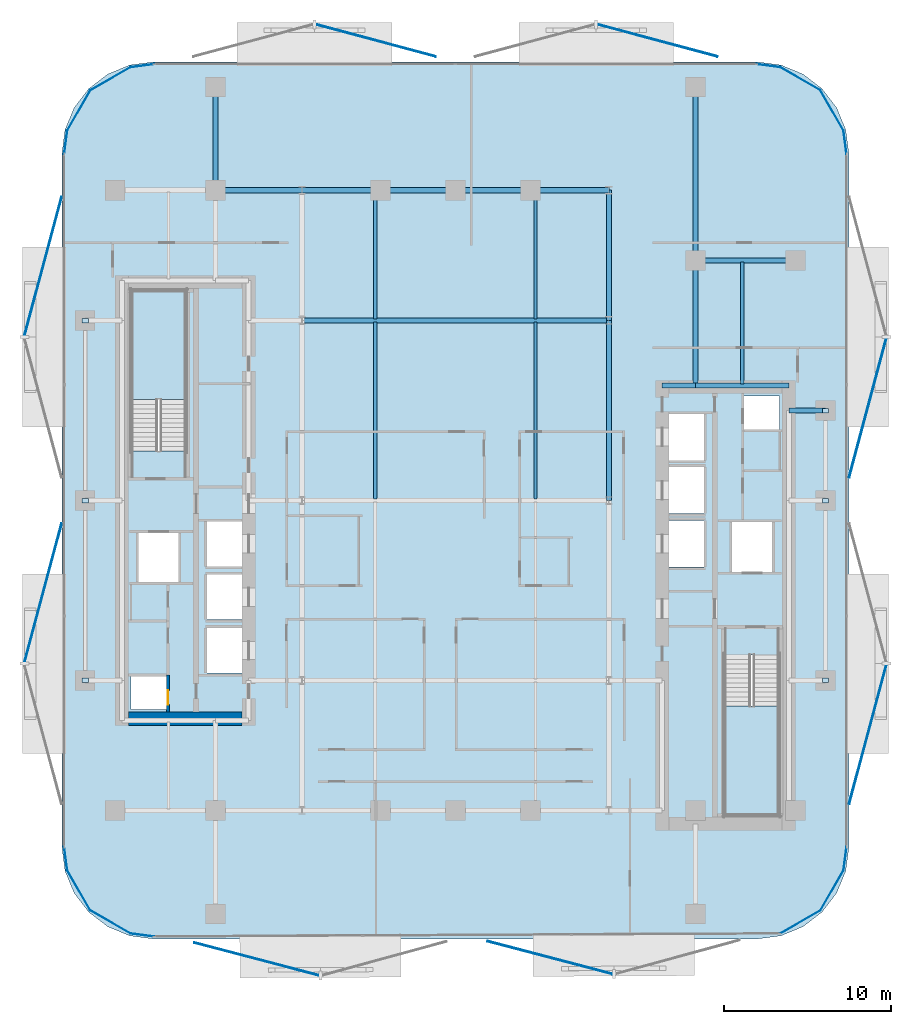
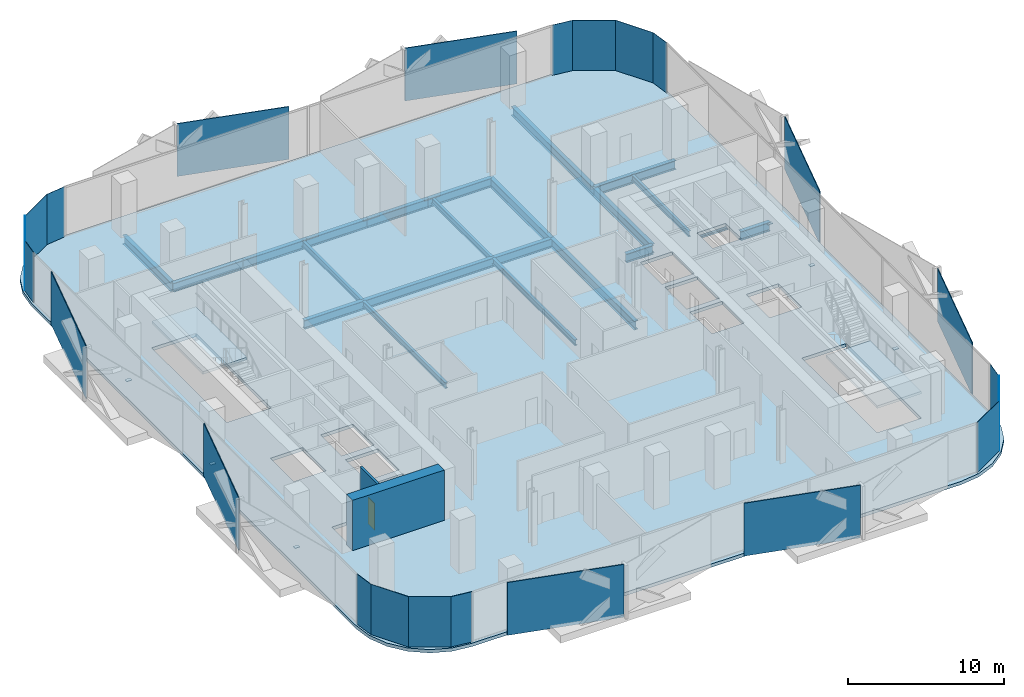
# One storey, part 2 of 15: 29 plates, 20 beams, 3 slabs, 2 walls, 1 door, 1 opening, 2 elements without a shape of their own.
"""IFC4 building model written with IfcOpenShell, lengths in metres."""

from ifc_helpers import new_model, si_unit, direction, frame, frame_2d, origin, origin_2d, place, context, subcontext, project, spatial, polyline, rectangle, i_section, outline, extrude, material, layer, layer_set, material_profile, profile_set, type_object, element, fill, aggregate, save


model = new_model("IFC4")

# Units and contexts
model_context = context("Model", 3, precision=1e-05, world=origin(), true_north=direction((0.0, 1.0)))
body_context = subcontext(model_context, "Body", "Model", "MODEL_VIEW")
ifc_project = project(units=[si_unit("LENGTHUNIT", "METRE"), si_unit("AREAUNIT", "SQUARE_METRE"), si_unit("VOLUMEUNIT", "CUBIC_METRE"), si_unit("PLANEANGLEUNIT", "RADIAN"), si_unit("MASSUNIT", "GRAM", prefix="KILO")], contexts=[model_context])

# Site, building, storey
site_placement = place(None, origin())
site = spatial("IfcSite", under=ifc_project, at=site_placement, CompositionType="ELEMENT")
building_placement = place(site_placement, origin())
building = spatial("IfcBuilding", under=site, at=building_placement, Name="Khairoan Windgate Tower", CompositionType="ELEMENT")
storey_placement = place(building_placement, frame((0.0, 0.0, 110.0)))
storey = spatial("IfcBuildingStorey", under=building, at=storey_placement, Name="L25", CompositionType="ELEMENT", Elevation=110.0)

# Beams
ifc_material_1 = material(Name="Steel S355", Category="steel")
ifc_material_profile_1 = material_profile(ifc_material_1, i_section(OverallWidth=0.300048828125, OverallDepth=0.699951171875, WebThickness=0.012939453125, FlangeThickness=0.02392578125, FilletRadius=0.02587890625, at=origin_2d()))
ifc_profile_set_1 = profile_set([ifc_material_profile_1], Name="Steel S355")
beam_type_1 = type_object("IfcBeamType", Name="Beam B-G3 H700x300x13x24", PredefinedType="BEAM", material=ifc_profile_set_1)
beam_1_placement = place(storey_placement, frame((20.0, 5.39990234375, -0.610107421875), z_axis=(1.0, 0.0, 0.0), x_axis=(0.0, 1.0, 0.0)))
element("IfcBeam", 1, at=beam_1_placement, inside=storey, type_object=beam_type_1, Name="L25 E-W Primary Girder 19", PredefinedType="BEAM", context=body_context, shape_type="SweptSolid", body=[
    extrude(i_section(OverallWidth=0.300048828125, OverallDepth=0.699951171875, WebThickness=0.012939453125, FlangeThickness=0.02392578125, FilletRadius=0.02587890625, at=origin_2d()), origin(), (0.0, 0.0, 1.0), 2.199951171875),
])
beam_2_placement = place(storey_placement, frame((12.39990234375, 6.89990234375, -0.610107421875), z_axis=(1.0, 0.0, 0.0), x_axis=(0.0, 1.0, 0.0)))
element("IfcBeam", 2, at=beam_2_placement, inside=storey, type_object=beam_type_1, Name="L25 E-W Primary Girder 20", PredefinedType="BEAM", context=body_context, shape_type="SweptSolid", body=[
    extrude(i_section(OverallWidth=0.300048828125, OverallDepth=0.699951171875, WebThickness=0.012939453125, FlangeThickness=0.02392578125, FilletRadius=0.02587890625, at=origin_2d()), origin(), (0.0, 0.0, 1.0), 2.0),
])
beam_3_placement = place(storey_placement, frame((14.39990234375, 6.89990234375, -0.610107421875), z_axis=(1.0, 0.0, 0.0), x_axis=(0.0, 1.0, 0.0)))
element("IfcBeam", 3, at=beam_3_placement, inside=storey, type_object=beam_type_1, Name="L25 E-W Primary Girder 21", PredefinedType="BEAM", context=body_context, shape_type="SweptSolid", body=[
    extrude(i_section(OverallWidth=0.300048828125, OverallDepth=0.699951171875, WebThickness=0.012939453125, FlangeThickness=0.02392578125, FilletRadius=0.02587890625, at=origin_2d()), origin(), (0.0, 0.0, 1.0), 5.60009765625),
])
beam_4_placement = place(storey_placement, frame((-9.199951171875, 10.800048828125, -0.610107421875), z_axis=(1.0, 0.0, 0.0), x_axis=(0.0, 1.0, 0.0)))
element("IfcBeam", 4, at=beam_4_placement, inside=storey, type_object=beam_type_1, Name="L25 E-W Primary Girder 24", PredefinedType="BEAM", context=body_context, shape_type="SweptSolid", body=[
    extrude(i_section(OverallWidth=0.300048828125, OverallDepth=0.699951171875, WebThickness=0.012939453125, FlangeThickness=0.02392578125, FilletRadius=0.02587890625, at=origin_2d()), origin(), (0.0, 0.0, 1.0), 18.39990234375),
])
beam_5_placement = place(storey_placement, frame((14.39990234375, 14.39990234375, -0.610107421875), z_axis=(1.0, 0.0, 0.0), x_axis=(0.0, 1.0, 0.0)))
element("IfcBeam", 5, at=beam_5_placement, inside=storey, type_object=beam_type_1, Name="L25 E-W Primary Girder 27", PredefinedType="BEAM", context=body_context, shape_type="SweptSolid", body=[
    extrude(i_section(OverallWidth=0.300048828125, OverallDepth=0.699951171875, WebThickness=0.012939453125, FlangeThickness=0.02392578125, FilletRadius=0.02587890625, at=origin_2d()), origin(), (0.0, 0.0, 1.0), 6.0),
])
beam_6_placement = place(storey_placement, frame((-14.39990234375, 18.60009765625, -0.610107421875), z_axis=(1.0, 0.0, 0.0), x_axis=(0.0, 1.0, 0.0)))
element("IfcBeam", 6, at=beam_6_placement, inside=storey, type_object=beam_type_1, Name="L25 E-W Primary Girder 29", PredefinedType="BEAM", context=body_context, shape_type="SweptSolid", body=[
    extrude(i_section(OverallWidth=0.300048828125, OverallDepth=0.699951171875, WebThickness=0.012939453125, FlangeThickness=0.02392578125, FilletRadius=0.02587890625, at=origin_2d()), origin(), (0.0, 0.0, 1.0), 5.199951171875),
])
beam_7_placement = place(storey_placement, frame((-9.199951171875, 18.60009765625, -0.610107421875), z_axis=(1.0, 0.0, 0.0), x_axis=(0.0, 1.0, 0.0)))
element("IfcBeam", 7, at=beam_7_placement, inside=storey, type_object=beam_type_1, Name="L25 E-W Primary Girder 30", PredefinedType="BEAM", context=body_context, shape_type="SweptSolid", body=[
    extrude(i_section(OverallWidth=0.300048828125, OverallDepth=0.699951171875, WebThickness=0.012939453125, FlangeThickness=0.02392578125, FilletRadius=0.02587890625, at=origin_2d()), origin(), (0.0, 0.0, 1.0), 4.699951171875),
])
for number, where, z_axis, x_axis, name in (
    (8, (-4.5, 18.60009765625, -0.610107421875), (1.0, 0.0, 0.0), (0.0, 1.0, 0.0), "L25 E-W Primary Girder 31"),
    (9, (0.0, 18.60009765625, -0.610107421875), (1.0, 0.0, 0.0), (0.0, 1.0, 0.0), "L25 E-W Primary Girder 32"),
):
    element("IfcBeam", number, at=place(storey_placement, frame(where, z_axis=z_axis, x_axis=x_axis)), inside=storey, type_object=beam_type_1, Name=name, PredefinedType="BEAM", context=body_context, shape_type="SweptSolid", body=[
        extrude(i_section(OverallWidth=0.300048828125, OverallDepth=0.699951171875, WebThickness=0.012939453125, FlangeThickness=0.02392578125, FilletRadius=0.02587890625, at=origin_2d()), origin(), (0.0, 0.0, 1.0), 4.5),
    ])
beam_8_placement = place(storey_placement, frame((4.5, 18.60009765625, -0.610107421875), z_axis=(1.0, 0.0, 0.0), x_axis=(0.0, 1.0, 0.0)))
element("IfcBeam", 10, at=beam_8_placement, inside=storey, type_object=beam_type_1, Name="L25 E-W Primary Girder 33", PredefinedType="BEAM", context=body_context, shape_type="SweptSolid", body=[
    extrude(i_section(OverallWidth=0.300048828125, OverallDepth=0.699951171875, WebThickness=0.012939453125, FlangeThickness=0.02392578125, FilletRadius=0.02587890625, at=origin_2d()), origin(), (0.0, 0.0, 1.0), 4.699951171875),
])
beam_9_placement = place(storey_placement, frame((-14.39990234375, 18.60009765625, -0.610107421875), z_axis=(0.0, 1.0, 0.0), x_axis=(-1.0, 0.0, 0.0)))
element("IfcBeam", 11, at=beam_9_placement, inside=storey, type_object=beam_type_1, Name="L25 N-S Primary Beam 43", PredefinedType="BEAM", context=body_context, shape_type="SweptSolid", body=[
    extrude(i_section(OverallWidth=0.300048828125, OverallDepth=0.699951171875, WebThickness=0.012939453125, FlangeThickness=0.02392578125, FilletRadius=0.02587890625, at=origin_2d()), origin(), (0.0, 0.0, 1.0), 6.199951171875),
])
beam_10_placement = place(storey_placement, frame((9.199951171875, 0.0, -0.610107421875), z_axis=(0.0, 1.0, 0.0), x_axis=(-1.0, 0.0, 0.0)))
element("IfcBeam", 12, at=beam_10_placement, inside=storey, type_object=beam_type_1, Name="L25 N-S Primary Beam 53", PredefinedType="BEAM", context=body_context, shape_type="SweptSolid", body=[
    extrude(i_section(OverallWidth=0.300048828125, OverallDepth=0.699951171875, WebThickness=0.012939453125, FlangeThickness=0.02392578125, FilletRadius=0.02587890625, at=origin_2d()), origin(), (0.0, 0.0, 1.0), 10.800048828125),
])
beam_11_placement = place(storey_placement, frame((9.199951171875, 10.800048828125, -0.610107421875), z_axis=(0.0, 1.0, 0.0), x_axis=(-1.0, 0.0, 0.0)))
element("IfcBeam", 13, at=beam_11_placement, inside=storey, type_object=beam_type_1, Name="L25 N-S Primary Beam 54", PredefinedType="BEAM", context=body_context, shape_type="SweptSolid", body=[
    extrude(i_section(OverallWidth=0.300048828125, OverallDepth=0.699951171875, WebThickness=0.012939453125, FlangeThickness=0.02392578125, FilletRadius=0.02587890625, at=origin_2d()), origin(), (0.0, 0.0, 1.0), 7.800048828125),
])
beam_12_placement = place(storey_placement, frame((14.39990234375, 6.89990234375, -0.610107421875), z_axis=(0.0, 1.0, 0.0), x_axis=(-1.0, 0.0, 0.0)))
element("IfcBeam", 14, at=beam_12_placement, inside=storey, type_object=beam_type_1, Name="L25 N-S Primary Beam 57", PredefinedType="BEAM", context=body_context, shape_type="SweptSolid", body=[
    extrude(i_section(OverallWidth=0.300048828125, OverallDepth=0.699951171875, WebThickness=0.012939453125, FlangeThickness=0.02392578125, FilletRadius=0.02587890625, at=origin_2d()), origin(), (0.0, 0.0, 1.0), 7.5),
])
beam_13_placement = place(storey_placement, frame((14.39990234375, 14.39990234375, -0.610107421875), z_axis=(0.0, 1.0, 0.0), x_axis=(-1.0, 0.0, 0.0)))
element("IfcBeam", 15, at=beam_13_placement, inside=storey, type_object=beam_type_1, Name="L25 N-S Primary Beam 58", PredefinedType="BEAM", context=body_context, shape_type="SweptSolid", body=[
    extrude(i_section(OverallWidth=0.300048828125, OverallDepth=0.699951171875, WebThickness=0.012939453125, FlangeThickness=0.02392578125, FilletRadius=0.02587890625, at=origin_2d()), origin(), (0.0, 0.0, 1.0), 10.400146484375),
])
ifc_material_2 = material(Name="Steel S355", Category="steel")
ifc_material_profile_2 = material_profile(ifc_material_2, i_section(OverallWidth=0.199951171875, OverallDepth=0.449951171875, WebThickness=0.009033203125, FlangeThickness=0.013916015625, FilletRadius=0.01806640625, at=origin_2d()))
ifc_profile_set_2 = profile_set([ifc_material_profile_2], Name="Steel S355")
beam_type_2 = type_object("IfcBeamType", Name="Beam J-S3 H450x200x9x14", PredefinedType="JOIST", material=ifc_profile_set_2)
beam_14_placement = place(storey_placement, frame((-4.800048828125, 0.090087890625, -0.485107421875), z_axis=(0.0, 1.0, 0.0), x_axis=(-1.0, 0.0, 0.0)))
element("IfcBeam", 16, at=beam_14_placement, inside=storey, type_object=beam_type_2, Name="L25 Secondary Floor Joist 05", PredefinedType="JOIST", context=body_context, shape_type="SweptSolid", body=[
    extrude(i_section(OverallWidth=0.199951171875, OverallDepth=0.449951171875, WebThickness=0.009033203125, FlangeThickness=0.013916015625, FilletRadius=0.01806640625, at=origin_2d()), origin(), (0.0, 0.0, 1.0), 10.619873046875),
])
beam_15_placement = place(storey_placement, frame((-4.800048828125, 10.889892578125, -0.485107421875), z_axis=(0.0, 1.0, 0.0), x_axis=(-1.0, 0.0, 0.0)))
element("IfcBeam", 17, at=beam_15_placement, inside=storey, type_object=beam_type_2, Name="L25 Secondary Floor Joist 06", PredefinedType="JOIST", context=body_context, shape_type="SweptSolid", body=[
    extrude(i_section(OverallWidth=0.199951171875, OverallDepth=0.449951171875, WebThickness=0.009033203125, FlangeThickness=0.013916015625, FilletRadius=0.01806640625, at=origin_2d()), origin(), (0.0, 0.0, 1.0), 7.6201171875),
])
beam_16_placement = place(storey_placement, frame((4.800048828125, 0.090087890625, -0.485107421875), z_axis=(0.0, 1.0, 0.0), x_axis=(-1.0, 0.0, 0.0)))
element("IfcBeam", 18, at=beam_16_placement, inside=storey, type_object=beam_type_2, Name="L25 Secondary Floor Joist 09", PredefinedType="JOIST", context=body_context, shape_type="SweptSolid", body=[
    extrude(i_section(OverallWidth=0.199951171875, OverallDepth=0.449951171875, WebThickness=0.009033203125, FlangeThickness=0.013916015625, FilletRadius=0.01806640625, at=origin_2d()), origin(), (0.0, 0.0, 1.0), 10.619873046875),
])
beam_17_placement = place(storey_placement, frame((4.800048828125, 10.889892578125, -0.485107421875), z_axis=(0.0, 1.0, 0.0), x_axis=(-1.0, 0.0, 0.0)))
element("IfcBeam", 19, at=beam_17_placement, inside=storey, type_object=beam_type_2, Name="L25 Secondary Floor Joist 10", PredefinedType="JOIST", context=body_context, shape_type="SweptSolid", body=[
    extrude(i_section(OverallWidth=0.199951171875, OverallDepth=0.449951171875, WebThickness=0.009033203125, FlangeThickness=0.013916015625, FilletRadius=0.01806640625, at=origin_2d()), origin(), (0.0, 0.0, 1.0), 7.6201171875),
])
beam_18_placement = place(storey_placement, frame((17.199951171875, 6.989990234375, -0.485107421875), z_axis=(0.0, 1.0, 0.0), x_axis=(-1.0, 0.0, 0.0)))
element("IfcBeam", 20, at=beam_18_placement, inside=storey, type_object=beam_type_2, Name="L25 Secondary Floor Joist 11", PredefinedType="JOIST", context=body_context, shape_type="SweptSolid", body=[
    extrude(i_section(OverallWidth=0.199951171875, OverallDepth=0.449951171875, WebThickness=0.009033203125, FlangeThickness=0.013916015625, FilletRadius=0.01806640625, at=origin_2d()), origin(), (0.0, 0.0, 1.0), 7.320068359375),
])

# Plates
ifc_material_3 = material(Name="Low-E Solar Control Laminated Glass", Category="glass")
ifc_layer_1 = layer(ifc_material_3, 0.030029296875, Name="Low-E Solar Control Laminated Glass")
ifc_layer_set_1 = layer_set([ifc_layer_1], Name="Low-E Solar Control Laminated Glass")
plate_type_1 = type_object("IfcPlateType", Name="Aerodynamic Wind-Corner Curved Glazing Plate", PredefinedType="USERDEFINED", material=ifc_layer_set_1)
plate_placement = place(storey_placement, frame((-18.788818359375, -26.068115234375, 0.0), z_axis=(0.0, 0.0, 1.0), x_axis=(-0.991444861374, 0.13052619222, 0.0)))
element("IfcPlate", 21, at=plate_placement, inside=storey, type_object=plate_type_1, Name="L25 Aerodynamic Wind-Corner Curved Glazing Panel 2", ObjectType="GLAZING PANEL", PredefinedType="USERDEFINED", context=body_context, shape_type="SweptSolid", body=[
    extrude(rectangle(XDim=1.4482421875, YDim=0.028076171875, at=origin_2d()), origin(), (0.0, 0.0, 1.0), 3.93994140625),
])
for number, where, z_axis, x_axis, name in (
    (22, (-20.688232421875, -25.28271484375, 0.0), (0.0, 0.0, 1.0), (-0.866025403784, 0.5, 0.0), "L25 Aerodynamic Wind-Corner Curved Glazing Panel 3"),
    (23, (-22.582763671875, -23.38818359375, 0.0), (0.0, 0.0, 1.0), (-0.5, 0.866025403784, 0.0), "L25 Aerodynamic Wind-Corner Curved Glazing Panel 4"),
):
    element("IfcPlate", number, at=place(storey_placement, frame(where, z_axis=z_axis, x_axis=x_axis)), inside=storey, type_object=plate_type_1, Name=name, ObjectType="GLAZING PANEL", PredefinedType="USERDEFINED", context=body_context, shape_type="SweptSolid", body=[
        extrude(rectangle(XDim=2.81396484375, YDim=0.028076171875, at=origin_2d()), origin(), (0.0, 0.0, 1.0), 3.93994140625),
    ])
for number, where, z_axis, x_axis, name in (
    (24, (-23.3681640625, -21.489013671875, 0.0), (0.0, 0.0, 1.0), (-0.13052619222, 0.991444861374, 0.0), "L25 Aerodynamic Wind-Corner Curved Glazing Panel 5"),
    (25, (-23.3681640625, 21.489013671875, 0.0), (0.0, 0.0, 1.0), (0.13052619222, 0.991444861374, 0.0), "L25 Aerodynamic Wind-Corner Curved Glazing Panel 7"),
):
    element("IfcPlate", number, at=place(storey_placement, frame(where, z_axis=z_axis, x_axis=x_axis)), inside=storey, type_object=plate_type_1, Name=name, ObjectType="GLAZING PANEL", PredefinedType="USERDEFINED", context=body_context, shape_type="SweptSolid", body=[
        extrude(rectangle(XDim=1.4482421875, YDim=0.028076171875, at=origin_2d()), origin(), (0.0, 0.0, 1.0), 3.93994140625),
    ])
for number, where, z_axis, x_axis, name in (
    (26, (-22.582763671875, 23.38818359375, 0.0), (0.0, 0.0, 1.0), (0.5, 0.866025403784, 0.0), "L25 Aerodynamic Wind-Corner Curved Glazing Panel 8"),
    (27, (-20.688232421875, 25.28271484375, 0.0), (0.0, 0.0, 1.0), (0.866025403784, 0.5, 0.0), "L25 Aerodynamic Wind-Corner Curved Glazing Panel 9"),
):
    element("IfcPlate", number, at=place(storey_placement, frame(where, z_axis=z_axis, x_axis=x_axis)), inside=storey, type_object=plate_type_1, Name=name, ObjectType="GLAZING PANEL", PredefinedType="USERDEFINED", context=body_context, shape_type="SweptSolid", body=[
        extrude(rectangle(XDim=2.81396484375, YDim=0.028076171875, at=origin_2d()), origin(), (0.0, 0.0, 1.0), 3.93994140625),
    ])
for number, where, z_axis, x_axis, name in (
    (28, (-18.788818359375, 26.068115234375, 0.0), (0.0, 0.0, 1.0), (0.991444861374, 0.13052619222, 0.0), "L25 Aerodynamic Wind-Corner Curved Glazing Panel 10"),
    (29, (18.788818359375, 26.068115234375, 0.0), (0.0, 0.0, 1.0), (0.991444861374, -0.13052619222, 0.0), "L25 Aerodynamic Wind-Corner Curved Glazing Panel 12"),
):
    element("IfcPlate", number, at=place(storey_placement, frame(where, z_axis=z_axis, x_axis=x_axis)), inside=storey, type_object=plate_type_1, Name=name, ObjectType="GLAZING PANEL", PredefinedType="USERDEFINED", context=body_context, shape_type="SweptSolid", body=[
        extrude(rectangle(XDim=1.4482421875, YDim=0.028076171875, at=origin_2d()), origin(), (0.0, 0.0, 1.0), 3.93994140625),
    ])
for number, where, z_axis, x_axis, name in (
    (30, (20.688232421875, 25.28271484375, 0.0), (0.0, 0.0, 1.0), (0.866025403784, -0.5, 0.0), "L25 Aerodynamic Wind-Corner Curved Glazing Panel 13"),
    (31, (22.582763671875, 23.38818359375, 0.0), (0.0, 0.0, 1.0), (0.5, -0.866025403784, 0.0), "L25 Aerodynamic Wind-Corner Curved Glazing Panel 14"),
):
    element("IfcPlate", number, at=place(storey_placement, frame(where, z_axis=z_axis, x_axis=x_axis)), inside=storey, type_object=plate_type_1, Name=name, ObjectType="GLAZING PANEL", PredefinedType="USERDEFINED", context=body_context, shape_type="SweptSolid", body=[
        extrude(rectangle(XDim=2.81396484375, YDim=0.028076171875, at=origin_2d()), origin(), (0.0, 0.0, 1.0), 3.93994140625),
    ])
for number, where, z_axis, x_axis, name in (
    (32, (23.3681640625, 21.489013671875, 0.0), (0.0, 0.0, 1.0), (0.13052619222, -0.991444861374, 0.0), "L25 Aerodynamic Wind-Corner Curved Glazing Panel 15"),
    (33, (23.3681640625, -21.489013671875, 0.0), (0.0, 0.0, 1.0), (-0.13052619222, -0.991444861374, 0.0), "L25 Aerodynamic Wind-Corner Curved Glazing Panel 17"),
):
    element("IfcPlate", number, at=place(storey_placement, frame(where, z_axis=z_axis, x_axis=x_axis)), inside=storey, type_object=plate_type_1, Name=name, ObjectType="GLAZING PANEL", PredefinedType="USERDEFINED", context=body_context, shape_type="SweptSolid", body=[
        extrude(rectangle(XDim=1.4482421875, YDim=0.028076171875, at=origin_2d()), origin(), (0.0, 0.0, 1.0), 3.93994140625),
    ])
for number, where, z_axis, x_axis, name in (
    (34, (22.582763671875, -23.38818359375, 0.0), (0.0, 0.0, 1.0), (-0.5, -0.866025403784, 0.0), "L25 Aerodynamic Wind-Corner Curved Glazing Panel 18"),
    (35, (20.688232421875, -25.28271484375, 0.0), (0.0, 0.0, 1.0), (-0.866025403784, -0.5, 0.0), "L25 Aerodynamic Wind-Corner Curved Glazing Panel 19"),
):
    element("IfcPlate", number, at=place(storey_placement, frame(where, z_axis=z_axis, x_axis=x_axis)), inside=storey, type_object=plate_type_1, Name=name, ObjectType="GLAZING PANEL", PredefinedType="USERDEFINED", context=body_context, shape_type="SweptSolid", body=[
        extrude(rectangle(XDim=2.81396484375, YDim=0.028076171875, at=origin_2d()), origin(), (0.0, 0.0, 1.0), 3.93994140625),
    ])
ifc_material_4 = material(Name="Steel S355", Category="steel")
ifc_layer_2 = layer(ifc_material_4, 0.0400390625, Name="Steel S355")
ifc_layer_set_2 = layer_set([ifc_layer_2], Name="Steel S355")
plate_type_2 = type_object("IfcPlateType", Name="Hollow Section End-Cap Plate PL-CAP40", PredefinedType="SHEET", material=ifc_layer_set_2)
for number, where, z_axis, x_axis, name in (
    (36, (-22.199951171875, -10.784912109375, -0.455078125), (0.0, 0.0, 1.0), (0.0, 1.0, 0.0), "BM-SP-L25-034 steel end-cap plate 1"),
    (37, (-22.199951171875, -0.014892578125, -0.455078125), (0.0, 0.0, 1.0), (0.0, 1.0, 0.0), "BM-SP-L25-034 steel end-cap plate 2"),
    (38, (-22.199951171875, 10.784912109375, -0.455078125), (0.0, 0.0, 1.0), (0.0, 1.0, 0.0), "BM-SP-L25-035 steel end-cap plate 2"),
    (39, (22.199951171875, -10.784912109375, -0.455078125), (0.0, 0.0, 1.0), (0.0, 1.0, 0.0), "BM-SP-L25-062 steel end-cap plate 1"),
    (40, (22.199951171875, -0.014892578125, -0.455078125), (0.0, 0.0, 1.0), (0.0, 1.0, 0.0), "BM-SP-L25-062 steel end-cap plate 2"),
    (41, (22.199951171875, 5.385009765625, -0.455078125), (0.0, 0.0, 1.0), (0.0, 1.0, 0.0), "BM-SP-L25-063 steel end-cap plate 2"),
):
    element("IfcPlate", number, at=place(storey_placement, frame(where, z_axis=z_axis, x_axis=x_axis)), inside=storey, type_object=plate_type_2, Name=name, PredefinedType="SHEET", context=body_context, shape_type="SweptSolid", body=[
        extrude(rectangle(XDim=0.27001953125, YDim=0.3701171875, at=origin_2d()), origin(), (0.0, 0.0, 1.0), 0.0400390625),
    ])
ifc_material_5 = material(Name="Anodised Bronze Aluminium 6063-T6", Category="aluminium")
ifc_layer_3 = layer(ifc_material_5, 0.054931640625, Name="Anodised Bronze Aluminium 6063-T6")
ifc_layer_set_3 = layer_set([ifc_layer_3], Name="Anodised Bronze Aluminium 6063-T6")
plate_type_3 = type_object("IfcPlateType", Name="Perforated Bronze Solar Screen Panel BSP-1", PredefinedType="USERDEFINED", material=ifc_layer_set_3)
for number, where, z_axis, x_axis, name in (
    (42, (5.671630859375, -27.42236328125, -0.10009765625), (0.0, 0.0, 1.0), (-0.967179115616, 0.254095569259, 0.0), "L25 Perforated Bronze Solar Screen Panel 145R"),
    (43, (-11.917236328125, -27.50830078125, -0.10009765625), (0.0, 0.0, 1.0), (-0.967179115616, 0.254095569259, 0.0), "L25 Perforated Bronze Solar Screen Panel 146R"),
):
    element("IfcPlate", number, at=place(storey_placement, frame(where, z_axis=z_axis, x_axis=x_axis)), inside=storey, type_object=plate_type_3, Name=name, ObjectType="SCREEN", PredefinedType="USERDEFINED", context=body_context, shape_type="SweptSolid", body=[
        extrude(rectangle(XDim=7.739013671875, YDim=0.054931640625, at=origin_2d()), origin(), (0.0, 0.0, 1.0), 4.139892578125),
    ])
for number, where, z_axis, x_axis, name in (
    (44, (-24.724609375, -5.542236328125, -0.10009765625), (0.0, 0.0, 1.0), (0.258819045103, 0.965925826289, 0.0), "L25 Perforated Bronze Solar Screen Panel 147R"),
    (45, (-24.724609375, 14.048583984375, -0.10009765625), (0.0, 0.0, 1.0), (0.258819045103, 0.965925826289, 0.0), "L25 Perforated Bronze Solar Screen Panel 148R"),
):
    element("IfcPlate", number, at=place(storey_placement, frame(where, z_axis=z_axis, x_axis=x_axis)), inside=storey, type_object=plate_type_3, Name=name, ObjectType="SCREEN", PredefinedType="USERDEFINED", context=body_context, shape_type="SweptSolid", body=[
        extrude(rectangle(XDim=8.6201171875, YDim=0.054931640625, at=origin_2d()), origin(), (0.0, 0.0, 1.0), 4.139892578125),
    ])
for number, where, z_axis, x_axis, name in (
    (46, (-4.76611328125, 27.578125, -0.10009765625), (0.0, 0.0, 1.0), (0.965925826289, -0.258819045103, 0.0), "L25 Perforated Bronze Solar Screen Panel 149R"),
    (47, (12.124755859375, 27.578125, -0.10009765625), (0.0, 0.0, 1.0), (0.965925826289, -0.258819045103, 0.0), "L25 Perforated Bronze Solar Screen Panel 150R"),
):
    element("IfcPlate", number, at=place(storey_placement, frame(where, z_axis=z_axis, x_axis=x_axis)), inside=storey, type_object=plate_type_3, Name=name, ObjectType="SCREEN", PredefinedType="USERDEFINED", context=body_context, shape_type="SweptSolid", body=[
        extrude(rectangle(XDim=7.431884765625, YDim=0.054931640625, at=origin_2d()), origin(), (0.0, 0.0, 1.0), 4.139892578125),
    ])
for number, where, z_axis, x_axis, name in (
    (48, (24.724609375, 5.542236328125, -0.10009765625), (0.0, 0.0, 1.0), (-0.258819045103, -0.965925826289, 0.0), "L25 Perforated Bronze Solar Screen Panel 151R"),
    (49, (24.724609375, -14.048583984375, -0.10009765625), (0.0, 0.0, 1.0), (-0.258819045103, -0.965925826289, 0.0), "L25 Perforated Bronze Solar Screen Panel 152R"),
):
    element("IfcPlate", number, at=place(storey_placement, frame(where, z_axis=z_axis, x_axis=x_axis)), inside=storey, type_object=plate_type_3, Name=name, ObjectType="SCREEN", PredefinedType="USERDEFINED", context=body_context, shape_type="SweptSolid", body=[
        extrude(rectangle(XDim=8.6201171875, YDim=0.054931640625, at=origin_2d()), origin(), (0.0, 0.0, 1.0), 4.139892578125),
    ])

# Stair, slab
ifc_material_6 = material(Name="Concrete C40/50", Category="concrete")
stair_type = type_object("IfcStairType", Name="Tower Core Dog-Leg Stair ST-T1 1560mm", PredefinedType="HALF_TURN_STAIR", material=ifc_material_6)
stair_1_placement = place(storey_placement, origin())
stair_1 = element("IfcStair", 50, at=stair_1_placement, inside=storey, type_object=stair_type, Name="L25 Stair ST1", PredefinedType="HALF_TURN_STAIR")
ifc_material_7 = material(Name="Concrete C40/50", Category="concrete")
ifc_layer_4 = layer(ifc_material_7, 0.199951171875, Name="Concrete C40/50")
ifc_layer_set_4 = layer_set([ifc_layer_4], Name="Concrete C40/50")
slab_type_1 = type_object("IfcSlabType", Name="Reinforced Concrete Stair Landing Slab STL-200", PredefinedType="LANDING", material=ifc_layer_set_4)
slab_1_placement = place(storey_placement, frame((0.0, 0.0, 1.89990234375)))
slab_1 = element("IfcSlab", 51, at=slab_1_placement, type_object=slab_type_1, Name="ST1 landing 1", PredefinedType="LANDING", context=body_context, shape_type="SweptSolid", body=[
    extrude(outline(polyline([(16.14990234375, -12.340087890625), (16.14990234375, -18.89990234375), (19.419921875, -18.89990234375), (19.419921875, -12.340087890625), (16.14990234375, -12.340087890625)])), origin(), (0.0, 0.0, 1.0), 0.2001953125),
])
aggregate(stair_1, [slab_1])

stair_2_placement = place(storey_placement, origin())
stair_2 = element("IfcStair", 52, at=stair_2_placement, inside=storey, type_object=stair_type, Name="L25 Stair ST2", PredefinedType="HALF_TURN_STAIR")
slab_2_placement = place(storey_placement, frame((0.0, 0.0, 1.89990234375)))
slab_2 = element("IfcSlab", 53, at=slab_2_placement, type_object=slab_type_1, Name="ST2 landing 1", PredefinedType="LANDING", context=body_context, shape_type="SweptSolid", body=[
    extrude(outline(polyline([(-16.14990234375, 6.0400390625), (-16.14990234375, 12.60009765625), (-19.419921875, 12.60009765625), (-19.419921875, 6.0400390625), (-16.14990234375, 6.0400390625)])), origin(), (0.0, 0.0, 1.0), 0.2001953125),
])
aggregate(stair_2, [slab_2])

# Slab
ifc_material_8 = material(Name="Concrete C40/50", Category="concrete")
ifc_layer_5 = layer(ifc_material_8, 0.260009765625, Name="Concrete C40/50")
ifc_layer_set_5 = layer_set([ifc_layer_5], Name="Concrete C40/50")
slab_type_2 = type_object("IfcSlabType", Name="Tower Composite Floor Slab FS2 260mm", PredefinedType="FLOOR", material=ifc_layer_set_5)
slab_3_placement = place(storey_placement, frame((0.0, 0.0, -0.260009765625)))
element("IfcSlab", 54, at=slab_3_placement, inside=storey, type_object=slab_type_2, Name="L25 Structural Floor Slab", PredefinedType="FLOOR", context=body_context, shape_type="SweptSolid", body=[
    extrude(outline(polyline([(18.10009765625, -26.300048828125), (19.5234375, -26.112548828125), (20.85009765625, -25.56298828125), (21.989013671875, -24.689208984375), (22.863037109375, -23.550048828125), (23.41259765625, -22.223388671875), (23.60009765625, -20.800048828125), (23.60009765625, 20.800048828125), (23.41259765625, 22.223388671875), (22.863037109375, 23.550048828125), (21.989013671875, 24.689208984375), (20.85009765625, 25.56298828125), (19.5234375, 26.112548828125), (18.10009765625, 26.300048828125), (-18.10009765625, 26.300048828125), (-19.5234375, 26.112548828125), (-20.85009765625, 25.56298828125), (-21.989013671875, 24.689208984375), (-22.863037109375, 23.550048828125), (-23.41259765625, 22.223388671875), (-23.60009765625, 20.800048828125), (-23.60009765625, -20.800048828125), (-23.41259765625, -22.223388671875), (-22.863037109375, -23.550048828125), (-21.989013671875, -24.689208984375), (-20.85009765625, -25.56298828125), (-19.5234375, -26.112548828125), (-18.10009765625, -26.300048828125), (18.10009765625, -26.300048828125)]), holes=[polyline([(16.14990234375, -9.260009765625), (16.14990234375, -18.89990234375), (19.419921875, -18.89990234375), (19.419921875, -9.260009765625), (16.14990234375, -9.260009765625)]), polyline([(-16.14990234375, 2.9599609375), (-16.14990234375, 12.60009765625), (-19.419921875, 12.60009765625), (-19.419921875, 2.9599609375), (-16.14990234375, 2.9599609375)]), polyline([(-14.89990234375, -3.949951171875), (-12.5, -3.949951171875), (-12.5, -1.25), (-14.89990234375, -1.25), (-14.89990234375, -3.949951171875)]), polyline([(-14.89990234375, -7.14990234375), (-12.5, -7.14990234375), (-12.5, -4.449951171875), (-14.89990234375, -4.449951171875), (-14.89990234375, -7.14990234375)]), polyline([(-14.89990234375, -10.35009765625), (-12.5, -10.35009765625), (-12.5, -7.64990234375), (-14.89990234375, -7.64990234375), (-14.89990234375, -10.35009765625)]), polyline([(12.5, 2.39990234375), (14.89990234375, 2.39990234375), (14.89990234375, 5.199951171875), (12.5, 5.199951171875), (12.5, 2.39990234375)]), polyline([(12.5, -0.800048828125), (14.89990234375, -0.800048828125), (14.89990234375, 2.0), (12.5, 2.0), (12.5, -0.800048828125)]), polyline([(12.5, -4.0), (14.89990234375, -4.0), (14.89990234375, -1.199951171875), (12.5, -1.199951171875), (12.5, -4.0)]), polyline([(16.60009765625, -4.300048828125), (19.0, -4.300048828125), (19.0, -1.300048828125), (16.60009765625, -1.300048828125), (16.60009765625, -4.300048828125)]), polyline([(-19.0, -4.89990234375), (-16.60009765625, -4.89990234375), (-16.60009765625, -1.89990234375), (-19.0, -1.89990234375), (-19.0, -4.89990234375)]), polyline([(-19.449951171875, -12.550048828125), (-17.31005859375, -12.550048828125), (-17.31005859375, -10.550048828125), (-19.449951171875, -10.550048828125), (-19.449951171875, -12.550048828125)]), polyline([(17.31005859375, 4.25), (19.449951171875, 4.25), (19.449951171875, 6.25), (17.31005859375, 6.25), (17.31005859375, 4.25)])]), origin(), (0.0, 0.0, 1.0), 0.260009765625),
])

# Wall, opening, door
ifc_material_9 = material(Name="Concrete C40/50", Category="concrete")
ifc_layer_6 = layer(ifc_material_9, 0.159912109375, Name="Concrete C40/50")
ifc_layer_set_6 = layer_set([ifc_layer_6], Name="Concrete C40/50")
wall_type_1 = type_object("IfcWallType", Name="Plant and Refuge Compartment Wall", PredefinedType="PARTITIONING", material=ifc_layer_set_6)
wall_1_placement = place(storey_placement, frame((-17.22998046875, -12.699951171875, 0.0), z_axis=(0.0, 0.0, 1.0), x_axis=(0.0, 1.0, 0.0)))
wall_1 = element("IfcWall", 55, at=wall_1_placement, inside=storey, type_object=wall_type_1, Name="L25 Interior Partition 001", PredefinedType="PARTITIONING", context=body_context, shape_type="SweptSolid", body=[
    extrude(rectangle(XDim=2.22998046875, YDim=0.159912109375, at=frame_2d((1.114990234375, 0.0))), origin(), (0.0, 0.0, 1.0), 3.93994140625),
])
opening_placement = place(wall_1_placement, frame((0.4599609375, 0.0, 0.0)))
opening = element("IfcOpeningElement", 56, at=opening_placement, cuts=wall_1, Name="Opening FD-SRV", PredefinedType="OPENING", context=body_context, shape_type="SweptSolid", body=[
    extrude(rectangle(XDim=0.85009765625, YDim=2.10009765625, at=frame_2d((0.425048828125, 1.050048828125))), frame((0.0, 0.08984375, 0.0), z_axis=(0.0, -1.0, 0.0), x_axis=(1.0, 0.0, 0.0)), (0.0, 0.0, 1.0), 0.179931640625),
])
ifc_material_10 = material(Name="Steel S355", Category="steel")
door_type = type_object("IfcDoorType", Name="Core Service and Riser Fire Door FD-SRV 850x2100", OperationType="NOTDEFINED", PredefinedType="DOOR", material=ifc_material_10)
door_placement = place(opening_placement, origin())
door = element("IfcDoor", 57, at=door_placement, inside=storey, type_object=door_type, Name="L25 L25-04-L25-05 Door", OperationType="SINGLE_SWING_RIGHT", OverallHeight=2.10009765625, OverallWidth=0.85009765625, PredefinedType="DOOR", context=body_context, shape_type="SweptSolid", body=[
    extrude(rectangle(XDim=0.85009765625, YDim=2.10009765625, at=frame_2d((0.425048828125, 1.050048828125))), frame((0.0, 0.02490234375, 0.0), z_axis=(0.0, -1.0, 0.0), x_axis=(1.0, 0.0, 0.0)), (0.0, 0.0, 1.0), 0.050048828125),
])
fill(opening, door)

# Wall
ifc_material_11 = material(Name="Concrete C70/85", Category="concrete")
ifc_layer_7 = layer(ifc_material_11, 0.800048828125, Name="Concrete C70/85")
ifc_layer_set_7 = layer_set([ifc_layer_7], Name="Concrete C70/85")
wall_type_2 = type_object("IfcWallType", Name="Shear Wall CW-W1 800mm", PredefinedType="SHEAR", material=ifc_layer_set_7)
wall_2_placement = place(storey_placement, frame((-19.60009765625, -13.10009765625, 0.0), z_axis=(0.0, 0.0, 1.0), x_axis=(1.0, 0.0, 0.0)))
element("IfcWall", 58, at=wall_2_placement, inside=storey, type_object=wall_type_2, Name="W Core South Shear Wall L25", PredefinedType="SHEAR", context=body_context, shape_type="SweptSolid", body=[
    extrude(rectangle(XDim=6.800048828125, YDim=0.800048828125, at=frame_2d((3.39990234375, 0.0))), origin(), (0.0, 0.0, 1.0), 3.93994140625),
])

save(model, "model.ifc")
